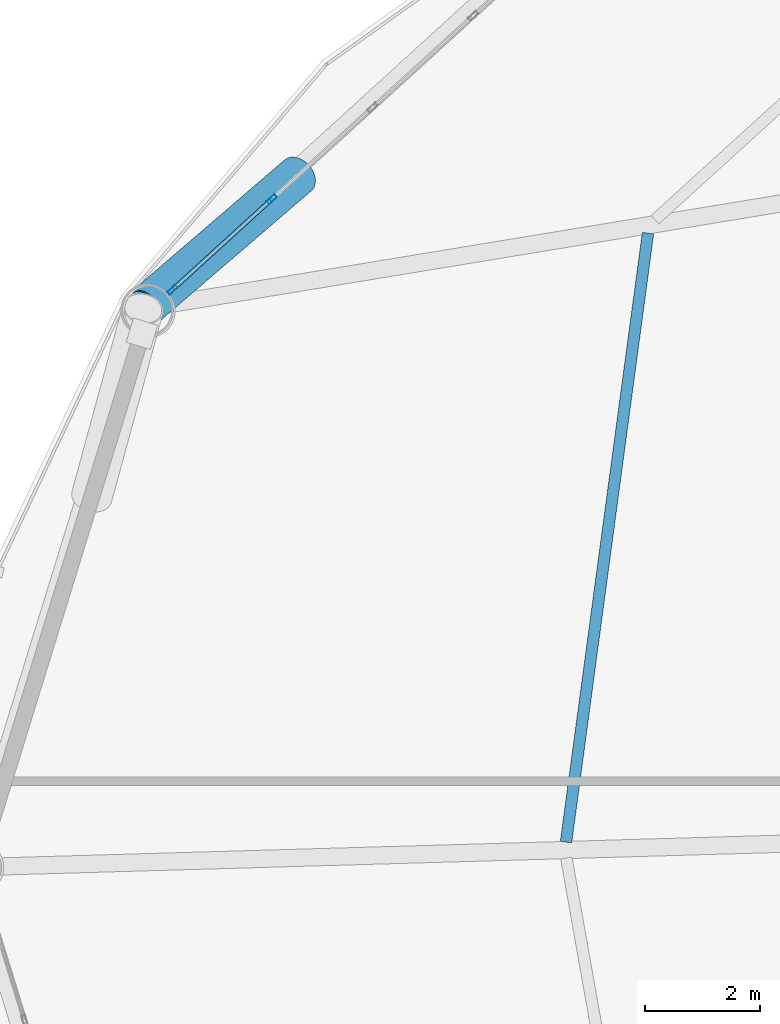
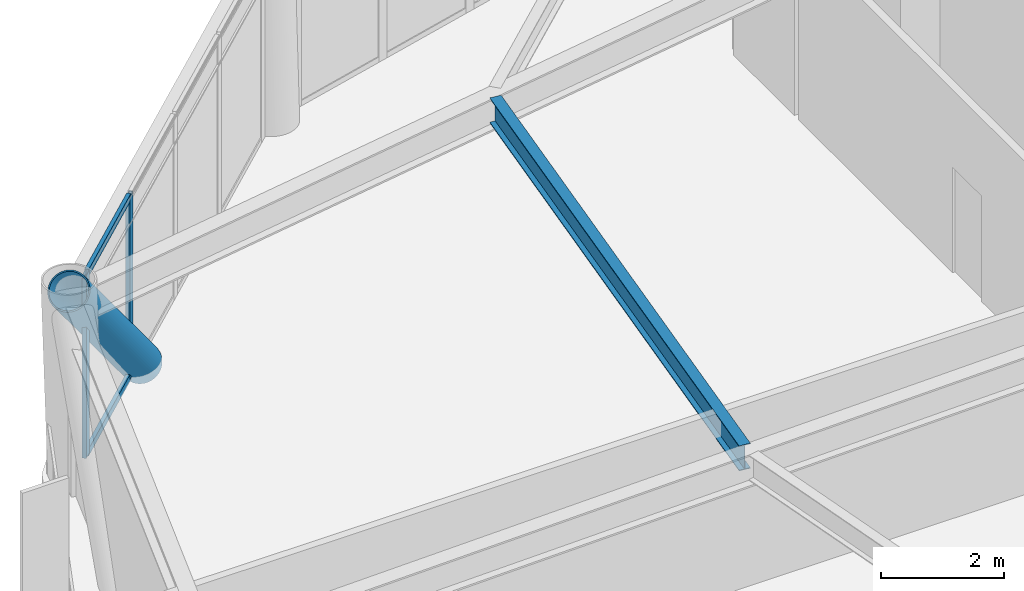
# One storey, part 10 of 25: 5 members, 1 beam, 1 element without a shape of its own.
"""IFC4 building model written with IfcOpenShell, lengths in metres."""

from ifc_helpers import new_model, si_unit, direction, frame, origin, origin_2d, place, context, subcontext, project, spatial, hollow_rectangle, hollow_circle, i_section, extrude, material, layer, layer_set, material_profile, profile_set, type_object, element, aggregate, save


model = new_model("IFC4")

# Units and contexts
model_context = context("Model", 3, precision=1e-05, world=origin(), true_north=direction((0.0, 1.0)))
body_context = subcontext(model_context, "Body", "Model", "MODEL_VIEW")
ifc_project = project(units=[si_unit("LENGTHUNIT", "METRE"), si_unit("AREAUNIT", "SQUARE_METRE"), si_unit("VOLUMEUNIT", "CUBIC_METRE"), si_unit("PLANEANGLEUNIT", "RADIAN"), si_unit("MASSUNIT", "GRAM", prefix="KILO")], contexts=[model_context])

# Site, building, storey
site_placement = place(None, origin())
site = spatial("IfcSite", under=ifc_project, at=site_placement, CompositionType="ELEMENT")
building_placement = place(site_placement, origin())
building = spatial("IfcBuilding", under=site, at=building_placement, Name="Varnakorn Sky Granary", CompositionType="ELEMENT")
storey_placement = place(building_placement, frame((0.0, 0.0, 58.800048828125)))
storey = spatial("IfcBuildingStorey", under=building, at=storey_placement, Name="L14", CompositionType="ELEMENT", Elevation=58.800048828125)

# Beam
ifc_material_1 = material(Name="Steel S355JR", Category="steel")
ifc_material_profile_1 = material_profile(ifc_material_1, i_section(OverallWidth=0.199951171875, OverallDepth=0.5, WebThickness=0.01025390625, FlangeThickness=0.01611328125, at=origin_2d()), Name="IPE 500")
ifc_profile_set_1 = profile_set([ifc_material_profile_1], Name="Steel S355JR")
beam_type = type_object("IfcBeamType", Name="BM-SEC-Z1", PredefinedType="BEAM", material=ifc_profile_set_1)
beam_placement = place(storey_placement, frame((-11.2216796875, 11.03515625, 3.389892578125), z_axis=(-0.133421500902, -0.991059384244, 0.0), x_axis=(0.991059384244, -0.133421500902, 0.0)))
element("IfcBeam", 1, at=beam_placement, inside=storey, type_object=beam_type, Name="Secondary Floor Chord Beam MSB06 L14", PredefinedType="BEAM", context=body_context, shape_type="SweptSolid", body=[
    extrude(i_section(OverallWidth=0.199951171875, OverallDepth=0.5, WebThickness=0.01025390625, FlangeThickness=0.01611328125, at=origin_2d()), origin(), (0.0, 0.0, 1.0), 10.69189453125),
])

# Curtain wall, members
ifc_material_2 = material(Name="Anodised Bronze Aluminium Alloy 6063-T6", Category="aluminium")
ifc_layer = layer(ifc_material_2, 0.18994140625, Name="Anodised Bronze Aluminium Alloy 6063-T6")
ifc_layer_set = layer_set([ifc_layer], Name="Anodised Bronze Aluminium Alloy 6063-T6")
curtain_wall_type = type_object("IfcCurtainWallType", Name="CW-FRM-1", PredefinedType="USERDEFINED", material=ifc_layer_set)
curtain_wall_placement = place(storey_placement, origin())
curtain_wall = element("IfcCurtainWall", 2, at=curtain_wall_placement, inside=storey, type_object=curtain_wall_type, Name="Unitised Curtain Wall CW3 CW-L14-B05", ObjectType="CURTAIN WALL", PredefinedType="USERDEFINED")
ifc_material_profile_2 = material_profile(ifc_material_2, hollow_rectangle(XDim=0.070068359375, YDim=0.18505859375, WallThickness=0.00390625, at=origin_2d()), Name="ALU MULL 70x185")
ifc_profile_set_2 = profile_set([ifc_material_profile_2], Name="Anodised Bronze Aluminium Alloy 6063-T6")
member_type_1 = type_object("IfcMemberType", Name="CW-FRM-1-MULL", PredefinedType="MULLION", material=ifc_profile_set_2)
member_1_placement = place(storey_placement, frame((-19.49755859375, 10.049072265625, 0.0), z_axis=(0.0, 0.0, 1.0), x_axis=(-0.67331886602, 0.739352219623, 0.0)))
member_1 = element("IfcMember", 3, at=member_1_placement, type_object=member_type_1, Name="CW3 mullion 1", PredefinedType="MULLION", context=body_context, shape_type="SweptSolid", body=[
    extrude(hollow_rectangle(XDim=0.070068359375, YDim=0.18505859375, WallThickness=0.00390625, at=origin_2d()), origin(), (0.0, 0.0, 1.0), 3.639892578125),
])
member_2_placement = place(storey_placement, frame((-17.769775390625, 11.62255859375, 0.0), z_axis=(0.0, 0.0, 1.0), x_axis=(-0.67331886602, 0.739352219623, 0.0)))
member_2 = element("IfcMember", 4, at=member_2_placement, type_object=member_type_1, Name="CW3 mullion 2", PredefinedType="MULLION", context=body_context, shape_type="SweptSolid", body=[
    extrude(hollow_rectangle(XDim=0.070068359375, YDim=0.18505859375, WallThickness=0.00390625, at=origin_2d()), origin(), (0.0, 0.0, 1.0), 3.639892578125),
])
ifc_material_profile_3 = material_profile(ifc_material_2, hollow_rectangle(XDim=0.070068359375, YDim=0.139892578125, WallThickness=0.00341796875, at=origin_2d()), Name="ALU TRAN 70x140")
ifc_profile_set_3 = profile_set([ifc_material_profile_3], Name="Anodised Bronze Aluminium Alloy 6063-T6")
member_type_2 = type_object("IfcMemberType", Name="CW-FRM-1-TRAN", PredefinedType="USERDEFINED", material=ifc_profile_set_3)
member_3_placement = place(storey_placement, frame((-19.4716796875, 10.07275390625, 0.034912109375), z_axis=(0.739345253663, 0.673326515062, 0.0), x_axis=(-0.673326515062, 0.739345253663, 0.0)))
member_3 = element("IfcMember", 5, at=member_3_placement, type_object=member_type_2, Name="CW3 transom 1.1", ObjectType="TRANSOM", PredefinedType="USERDEFINED", context=body_context, shape_type="SweptSolid", body=[
    extrude(hollow_rectangle(XDim=0.070068359375, YDim=0.139892578125, WallThickness=0.00341796875, at=origin_2d()), origin(), (0.0, 0.0, 1.0), 2.266845703125),
])
member_4_placement = place(storey_placement, frame((-19.4716796875, 10.07275390625, 3.60498046875), z_axis=(0.739345253663, 0.673326515062, 0.0), x_axis=(-0.673326515062, 0.739345253663, 0.0)))
member_4 = element("IfcMember", 6, at=member_4_placement, type_object=member_type_2, Name="CW3 transom 1.2", ObjectType="TRANSOM", PredefinedType="USERDEFINED", context=body_context, shape_type="SweptSolid", body=[
    extrude(hollow_rectangle(XDim=0.070068359375, YDim=0.139892578125, WallThickness=0.00341796875, at=origin_2d()), origin(), (0.0, 0.0, 1.0), 2.266845703125),
])
aggregate(curtain_wall, [member_1, member_2, member_3, member_4])

# Member
ifc_material_3 = material(Name="Steel S460M", Category="steel")
ifc_material_profile_4 = material_profile(ifc_material_3, hollow_circle(Radius=0.35546875, WallThickness=0.02490234375, at=origin_2d()), Name="CHS 711x25")
ifc_profile_set_4 = profile_set([ifc_material_profile_4], Name="Steel S460M")
member_type_3 = type_object("IfcMemberType", Name="MB-DIAG-T0", PredefinedType="BRACE", material=ifc_profile_set_4)
member_5_placement = place(storey_placement, frame((-17.3125, 12.0390625, -0.130126953125), z_axis=(-0.520288809603, -0.4468639939, 0.72774454691), x_axis=(0.6515493318, -0.758606266934, 0.0)))
element("IfcMember", 7, at=member_5_placement, inside=storey, type_object=member_type_3, Name="Perimeter CHS Diagrid Brace DG05 L14", PredefinedType="BRACE", context=body_context, shape_type="SweptSolid", body=[
    extrude(hollow_circle(Radius=0.35546875, WallThickness=0.02490234375, at=origin_2d()), origin(), (0.0, 0.0, 1.0), 5.180419921875),
])

save(model, "model.ifc")
